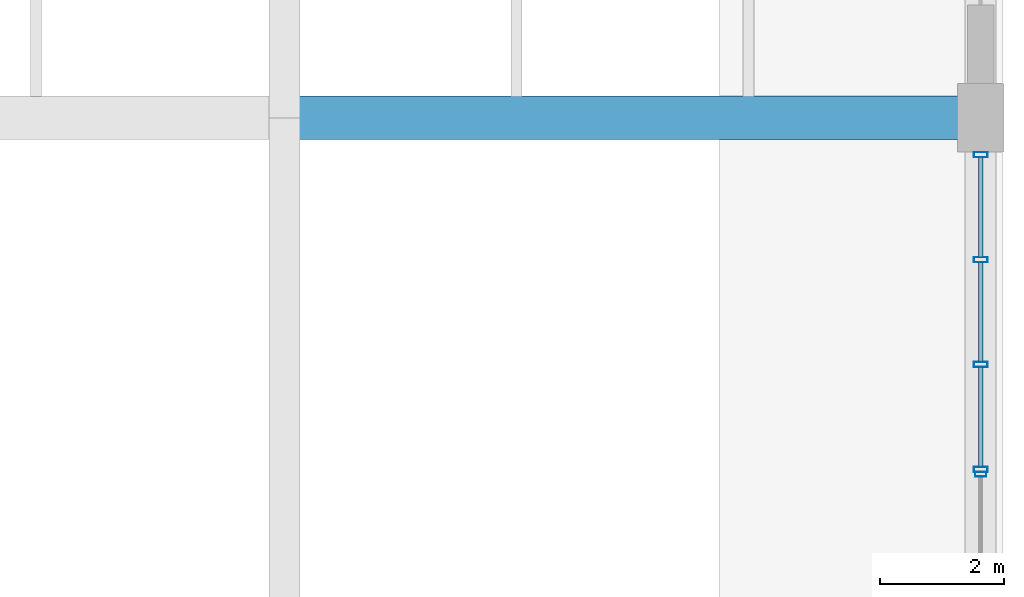
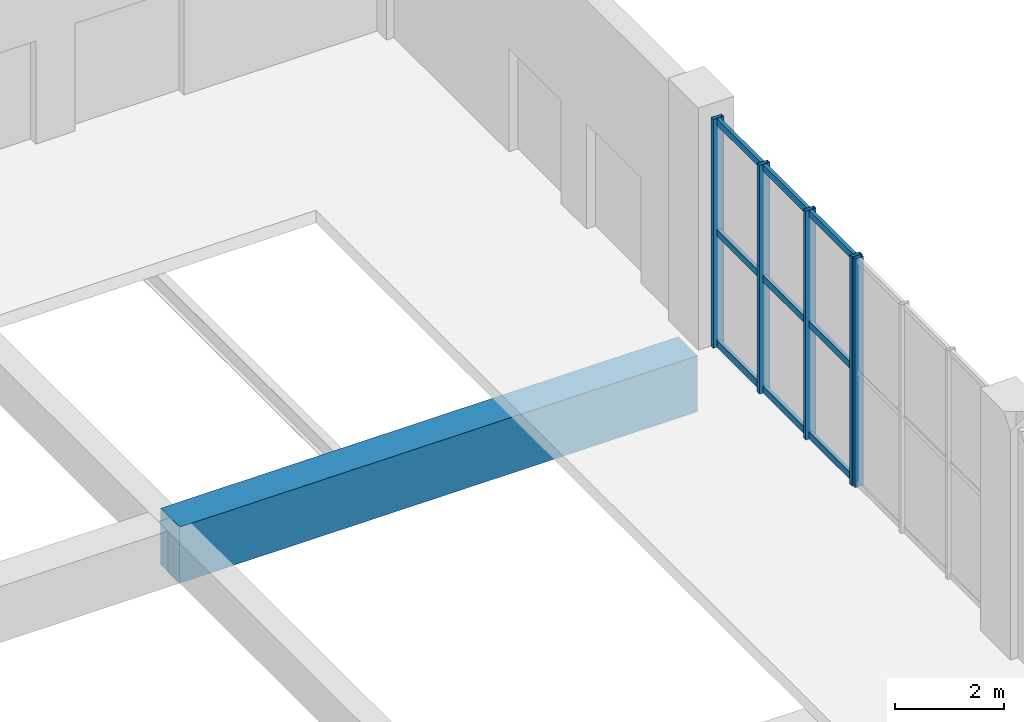
# One storey, part 71 of 113: 14 members, 1 beam, 2 elements without a shape of their own.
"""IFC4 building model written with IfcOpenShell, lengths in metres."""

from ifc_helpers import new_model, si_unit, direction, frame, origin, origin_2d, place, context, subcontext, project, spatial, rectangle, hollow_rectangle, extrude, material, layer, layer_set, material_profile, profile_set, type_object, element, aggregate, save


model = new_model("IFC4")

# Units and contexts
model_context = context("Model", 3, precision=1e-05, world=origin(), true_north=direction((0.0, 1.0)))
body_context = subcontext(model_context, "Body", "Model", "MODEL_VIEW")
ifc_project = project(units=[si_unit("LENGTHUNIT", "METRE"), si_unit("AREAUNIT", "SQUARE_METRE"), si_unit("VOLUMEUNIT", "CUBIC_METRE"), si_unit("PLANEANGLEUNIT", "RADIAN"), si_unit("MASSUNIT", "GRAM", prefix="KILO"), si_unit("POWERUNIT", "WATT"), si_unit("THERMODYNAMICTEMPERATUREUNIT", "KELVIN")], contexts=[model_context])

# Site, building, storey
site_placement = place(None, origin())
site = spatial("IfcSite", under=ifc_project, at=site_placement, CompositionType="ELEMENT")
building_placement = place(site_placement, origin())
building = spatial("IfcBuilding", under=site, at=building_placement, Name="Kelmbourne Parkland Aquatics Centre", CompositionType="ELEMENT")
storey_placement = place(building_placement, origin())
storey = spatial("IfcBuildingStorey", under=building, at=storey_placement, Name="L00", CompositionType="ELEMENT", Elevation=0.0)

# Beam
ifc_material_1 = material(Name="Concrete C50/60", Category="concrete")
ifc_material_profile_1 = material_profile(ifc_material_1, rectangle(XDim=0.699951171875, YDim=1.25, at=origin_2d()), Name="RC 700x1250")
ifc_profile_set_1 = profile_set([ifc_material_profile_1], Name="Concrete C50/60")
beam_type = type_object("IfcBeamType", Name="BM-G08", PredefinedType="BEAM", material=ifc_profile_set_1)
beam_placement = place(storey_placement, frame((164.0, 103.39990234375, -0.905029296875), z_axis=(1.0, 0.0, 0.0), x_axis=(0.0, 1.0, 0.0)))
element("IfcBeam", 1, at=beam_placement, inside=storey, type_object=beam_type, Name="Primary girder S-T Grid 13 (L00)", PredefinedType="BEAM", context=body_context, shape_type="SweptSolid", body=[
    extrude(rectangle(XDim=0.699951171875, YDim=1.25, at=origin_2d()), origin(), (0.0, 0.0, 1.0), 10.919921875),
])

# Curtain wall, member
ifc_material_2 = material(Name="Thermally broken anodised aluminium framing", Category="aluminium")
ifc_layer_1 = layer(ifc_material_2, 0.179931640625)
ifc_layer_set_1 = layer_set([ifc_layer_1], Name="Thermally broken anodised aluminium framing")
curtain_wall_type_1 = type_object("IfcCurtainWallType", Name="CW-09", PredefinedType="NOTDEFINED", material=ifc_layer_set_1)
curtain_wall_1_placement = place(storey_placement, origin())
curtain_wall_1 = element("IfcCurtainWall", 2, at=curtain_wall_1_placement, inside=storey, type_object=curtain_wall_type_1, Name="Facade curtain wall CW-L00-081", PredefinedType="NOTDEFINED")
ifc_material_profile_2 = material_profile(ifc_material_2, hollow_rectangle(XDim=0.074951171875, YDim=0.179931640625, WallThickness=0.00439453125, at=origin_2d()), Name="CW-M 75x180")
ifc_profile_set_2 = profile_set([ifc_material_profile_2], Name="Thermally broken anodised aluminium framing")
member_type_1 = type_object("IfcMemberType", Name="MB-MUL-2", PredefinedType="MULLION", material=ifc_profile_set_2)
member_1_placement = place(storey_placement, frame((175.199951171875, 97.66259765625, 0.0), z_axis=(0.0, 0.0, 1.0), x_axis=(0.0, 1.0, 0.0)))
member_1 = element("IfcMember", 3, at=member_1_placement, type_object=member_type_1, Name="CW-L00-081 mullion 3", PredefinedType="MULLION", context=body_context, shape_type="SweptSolid", body=[
    extrude(hollow_rectangle(XDim=0.074951171875, YDim=0.179931640625, WallThickness=0.00439453125, at=origin_2d()), origin(), (0.0, 0.0, 1.0), 5.10009765625),
])
aggregate(curtain_wall_1, [member_1])

# Curtain wall, members
ifc_layer_2 = layer(ifc_material_2, 0.179931640625)
ifc_layer_set_2 = layer_set([ifc_layer_2], Name="Thermally broken anodised aluminium framing")
curtain_wall_type_2 = type_object("IfcCurtainWallType", Name="CW-10", PredefinedType="NOTDEFINED", material=ifc_layer_set_2)
curtain_wall_2_placement = place(storey_placement, origin())
curtain_wall_2 = element("IfcCurtainWall", 4, at=curtain_wall_2_placement, inside=storey, type_object=curtain_wall_type_2, Name="Facade curtain wall CW-L00-082", PredefinedType="NOTDEFINED")
ifc_material_profile_3 = material_profile(ifc_material_2, hollow_rectangle(XDim=0.0849609375, YDim=0.219970703125, WallThickness=0.0048828125, at=origin_2d()), Name="CW-M 85x220")
ifc_profile_set_3 = profile_set([ifc_material_profile_3], Name="Thermally broken anodised aluminium framing")
member_type_2 = type_object("IfcMemberType", Name="MB-MUL-3", PredefinedType="MULLION", material=ifc_profile_set_3)
member_2_placement = place(storey_placement, frame((175.199951171875, 97.742431640625, 0.0), z_axis=(0.0, 0.0, 1.0), x_axis=(0.0, 1.0, 0.0)))
member_2 = element("IfcMember", 5, at=member_2_placement, type_object=member_type_2, Name="CW-L00-082 mullion 0", PredefinedType="MULLION", context=body_context, shape_type="SweptSolid", body=[
    extrude(hollow_rectangle(XDim=0.0849609375, YDim=0.219970703125, WallThickness=0.0048828125, at=origin_2d()), origin(), (0.0, 0.0, 1.0), 5.10009765625),
])
member_3_placement = place(storey_placement, frame((175.199951171875, 99.43017578125, 0.0), z_axis=(0.0, 0.0, 1.0), x_axis=(0.0, 1.0, 0.0)))
member_3 = element("IfcMember", 6, at=member_3_placement, type_object=member_type_2, Name="CW-L00-082 mullion 1", PredefinedType="MULLION", context=body_context, shape_type="SweptSolid", body=[
    extrude(hollow_rectangle(XDim=0.0849609375, YDim=0.219970703125, WallThickness=0.0048828125, at=origin_2d()), origin(), (0.0, 0.0, 1.0), 5.10009765625),
])
member_4_placement = place(storey_placement, frame((175.199951171875, 101.117919921875, 0.0), z_axis=(0.0, 0.0, 1.0), x_axis=(0.0, 1.0, 0.0)))
member_4 = element("IfcMember", 7, at=member_4_placement, type_object=member_type_2, Name="CW-L00-082 mullion 2", PredefinedType="MULLION", context=body_context, shape_type="SweptSolid", body=[
    extrude(hollow_rectangle(XDim=0.0849609375, YDim=0.219970703125, WallThickness=0.0048828125, at=origin_2d()), origin(), (0.0, 0.0, 1.0), 5.10009765625),
])
member_5_placement = place(storey_placement, frame((175.199951171875, 102.805419921875, 0.0), z_axis=(0.0, 0.0, 1.0), x_axis=(0.0, 1.0, 0.0)))
member_5 = element("IfcMember", 8, at=member_5_placement, type_object=member_type_2, Name="CW-L00-082 mullion 3", PredefinedType="MULLION", context=body_context, shape_type="SweptSolid", body=[
    extrude(hollow_rectangle(XDim=0.0849609375, YDim=0.219970703125, WallThickness=0.0048828125, at=origin_2d()), origin(), (0.0, 0.0, 1.0), 5.10009765625),
])
ifc_material_profile_4 = material_profile(ifc_material_2, hollow_rectangle(XDim=0.074951171875, YDim=0.14990234375, WallThickness=0.00390625, at=origin_2d()), Name="CW-T 75x150")
ifc_profile_set_4 = profile_set([ifc_material_profile_4], Name="Thermally broken anodised aluminium framing")
member_type_3 = type_object("IfcMemberType", Name="MB-TRN-2", PredefinedType="USERDEFINED", material=ifc_profile_set_4)
member_6_placement = place(storey_placement, frame((175.199951171875, 97.781005859375, 0.077880859375), z_axis=(0.0, 1.0, 0.0), x_axis=(-1.0, 0.0, 0.0)))
member_6 = element("IfcMember", 9, at=member_6_placement, type_object=member_type_3, Name="CW-L00-082 transom 0-0", ObjectType="TRANSOM", PredefinedType="USERDEFINED", context=body_context, shape_type="SweptSolid", body=[
    extrude(hollow_rectangle(XDim=0.074951171875, YDim=0.14990234375, WallThickness=0.00390625, at=origin_2d()), origin(), (0.0, 0.0, 1.0), 1.610595703125),
])
member_7_placement = place(storey_placement, frame((175.199951171875, 99.46875, 0.077880859375), z_axis=(0.0, 1.0, 0.0), x_axis=(-1.0, 0.0, 0.0)))
member_7 = element("IfcMember", 10, at=member_7_placement, type_object=member_type_3, Name="CW-L00-082 transom 0-1", ObjectType="TRANSOM", PredefinedType="USERDEFINED", context=body_context, shape_type="SweptSolid", body=[
    extrude(hollow_rectangle(XDim=0.074951171875, YDim=0.14990234375, WallThickness=0.00390625, at=origin_2d()), origin(), (0.0, 0.0, 1.0), 1.610595703125),
])
member_8_placement = place(storey_placement, frame((175.199951171875, 101.15625, 0.077880859375), z_axis=(0.0, 1.0, 0.0), x_axis=(-1.0, 0.0, 0.0)))
member_8 = element("IfcMember", 11, at=member_8_placement, type_object=member_type_3, Name="CW-L00-082 transom 0-2", ObjectType="TRANSOM", PredefinedType="USERDEFINED", context=body_context, shape_type="SweptSolid", body=[
    extrude(hollow_rectangle(XDim=0.074951171875, YDim=0.14990234375, WallThickness=0.00390625, at=origin_2d()), origin(), (0.0, 0.0, 1.0), 1.61083984375),
])
member_9_placement = place(storey_placement, frame((175.199951171875, 97.781005859375, 2.550048828125), z_axis=(0.0, 1.0, 0.0), x_axis=(-1.0, 0.0, 0.0)))
member_9 = element("IfcMember", 12, at=member_9_placement, type_object=member_type_3, Name="CW-L00-082 transom 1-0", ObjectType="TRANSOM", PredefinedType="USERDEFINED", context=body_context, shape_type="SweptSolid", body=[
    extrude(hollow_rectangle(XDim=0.074951171875, YDim=0.14990234375, WallThickness=0.00390625, at=origin_2d()), origin(), (0.0, 0.0, 1.0), 1.610595703125),
])
member_10_placement = place(storey_placement, frame((175.199951171875, 99.46875, 2.550048828125), z_axis=(0.0, 1.0, 0.0), x_axis=(-1.0, 0.0, 0.0)))
member_10 = element("IfcMember", 13, at=member_10_placement, type_object=member_type_3, Name="CW-L00-082 transom 1-1", ObjectType="TRANSOM", PredefinedType="USERDEFINED", context=body_context, shape_type="SweptSolid", body=[
    extrude(hollow_rectangle(XDim=0.074951171875, YDim=0.14990234375, WallThickness=0.00390625, at=origin_2d()), origin(), (0.0, 0.0, 1.0), 1.610595703125),
])
member_11_placement = place(storey_placement, frame((175.199951171875, 101.15625, 2.550048828125), z_axis=(0.0, 1.0, 0.0), x_axis=(-1.0, 0.0, 0.0)))
member_11 = element("IfcMember", 14, at=member_11_placement, type_object=member_type_3, Name="CW-L00-082 transom 1-2", ObjectType="TRANSOM", PredefinedType="USERDEFINED", context=body_context, shape_type="SweptSolid", body=[
    extrude(hollow_rectangle(XDim=0.074951171875, YDim=0.14990234375, WallThickness=0.00390625, at=origin_2d()), origin(), (0.0, 0.0, 1.0), 1.61083984375),
])
member_12_placement = place(storey_placement, frame((175.199951171875, 97.781005859375, 5.02197265625), z_axis=(0.0, 1.0, 0.0), x_axis=(-1.0, 0.0, 0.0)))
member_12 = element("IfcMember", 15, at=member_12_placement, type_object=member_type_3, Name="CW-L00-082 transom 2-0", ObjectType="TRANSOM", PredefinedType="USERDEFINED", context=body_context, shape_type="SweptSolid", body=[
    extrude(hollow_rectangle(XDim=0.074951171875, YDim=0.14990234375, WallThickness=0.00390625, at=origin_2d()), origin(), (0.0, 0.0, 1.0), 1.610595703125),
])
member_13_placement = place(storey_placement, frame((175.199951171875, 99.46875, 5.02197265625), z_axis=(0.0, 1.0, 0.0), x_axis=(-1.0, 0.0, 0.0)))
member_13 = element("IfcMember", 16, at=member_13_placement, type_object=member_type_3, Name="CW-L00-082 transom 2-1", ObjectType="TRANSOM", PredefinedType="USERDEFINED", context=body_context, shape_type="SweptSolid", body=[
    extrude(hollow_rectangle(XDim=0.074951171875, YDim=0.14990234375, WallThickness=0.00390625, at=origin_2d()), origin(), (0.0, 0.0, 1.0), 1.610595703125),
])
member_14_placement = place(storey_placement, frame((175.199951171875, 101.15625, 5.02197265625), z_axis=(0.0, 1.0, 0.0), x_axis=(-1.0, 0.0, 0.0)))
member_14 = element("IfcMember", 17, at=member_14_placement, type_object=member_type_3, Name="CW-L00-082 transom 2-2", ObjectType="TRANSOM", PredefinedType="USERDEFINED", context=body_context, shape_type="SweptSolid", body=[
    extrude(hollow_rectangle(XDim=0.074951171875, YDim=0.14990234375, WallThickness=0.00390625, at=origin_2d()), origin(), (0.0, 0.0, 1.0), 1.61083984375),
])
aggregate(curtain_wall_2, [member_2, member_3, member_4, member_5, member_6, member_7, member_8, member_9, member_10, member_11, member_12, member_13, member_14])

save(model, "model.ifc")
